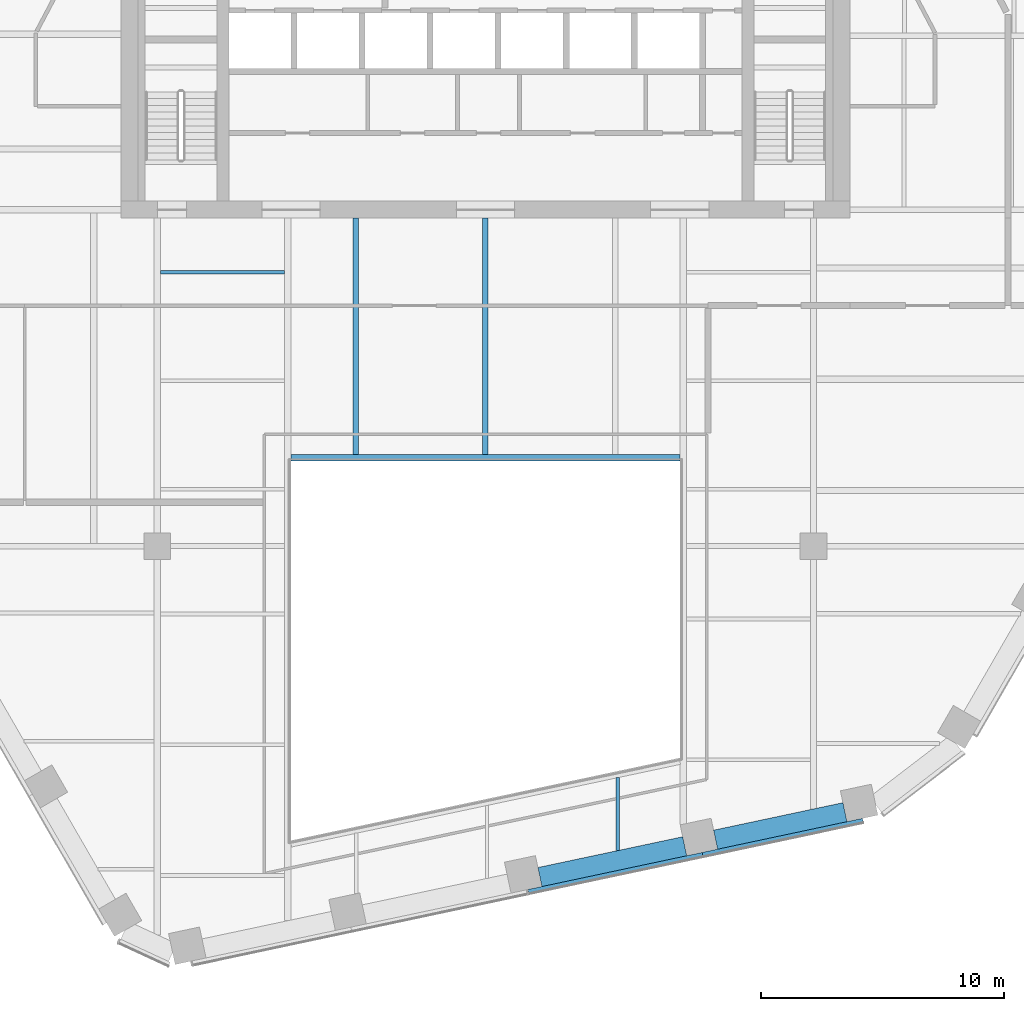
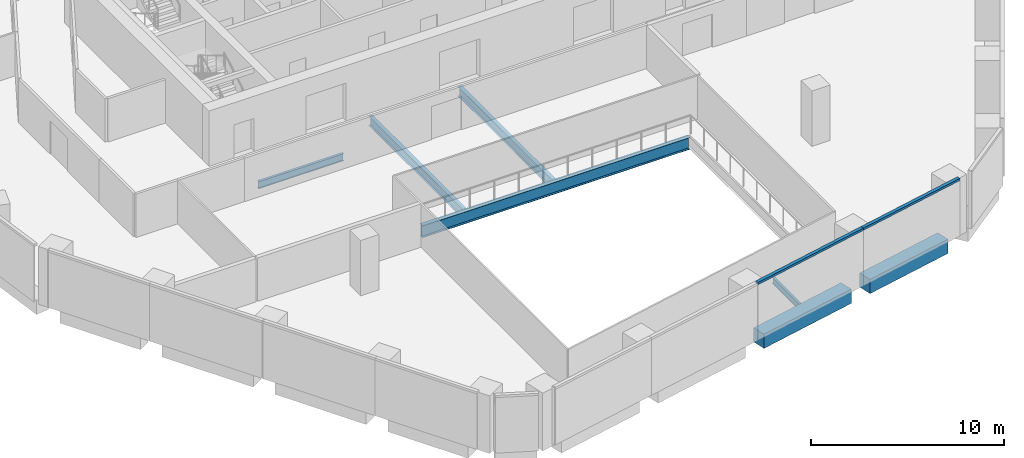
# One storey, part 4 of 16: 7 beams, 2 members, 1 element without a shape of its own.
"""IFC4 building model written with IfcOpenShell, lengths in metres."""

from ifc_helpers import new_model, si_unit, direction, frame, origin, origin_2d, place, context, subcontext, project, spatial, rectangle, i_section, extrude, material, layer, layer_set, material_profile, profile_set, type_object, element, aggregate, save


model = new_model("IFC4")

# Units and contexts
model_context = context("Model", 3, precision=1e-05, world=origin(), true_north=direction((0.0, 1.0)))
body_context = subcontext(model_context, "Body", "Model", "MODEL_VIEW")
ifc_project = project(units=[si_unit("LENGTHUNIT", "METRE"), si_unit("AREAUNIT", "SQUARE_METRE"), si_unit("VOLUMEUNIT", "CUBIC_METRE"), si_unit("PLANEANGLEUNIT", "RADIAN"), si_unit("MASSUNIT", "GRAM", prefix="KILO")], contexts=[model_context])

# Site, building, storey
site_placement = place(None, origin())
site = spatial("IfcSite", under=ifc_project, at=site_placement, CompositionType="ELEMENT")
building_placement = place(site_placement, origin())
building = spatial("IfcBuilding", under=site, at=building_placement, Name="Isthmus Gate Tower", CompositionType="ELEMENT")
storey_placement = place(building_placement, frame((0.0, 0.0, 178.10009765625)))
storey = spatial("IfcBuildingStorey", under=building, at=storey_placement, Name="L44", CompositionType="ELEMENT", Elevation=178.10009765625)

# Curtain wall, members
ifc_material_1 = material(Name="Aluminium, pale champagne anodised", Category="aluminium")
ifc_layer = layer(ifc_material_1, 0.199951171875)
ifc_layer_set = layer_set([ifc_layer], Name="CW-1 UNITISED CURTAIN WALL 200 DEEP")
curtain_wall_type = type_object("IfcCurtainWallType", Name="CW-1 UNITISED CURTAIN WALL 200 DEEP", PredefinedType="NOTDEFINED", material=ifc_layer_set)
curtain_wall_placement = place(storey_placement, origin())
curtain_wall = element("IfcCurtainWall", 1, at=curtain_wall_placement, inside=storey, type_object=curtain_wall_type, Name="CW-1 S L44", PredefinedType="NOTDEFINED")
ifc_material_2 = material(Name="Aluminium, pale champagne anodised", Category="aluminium")
ifc_material_profile_1 = material_profile(ifc_material_2, rectangle(XDim=0.199951171875, YDim=0.139892578125, at=origin_2d()), Name="200x140")
ifc_profile_set_1 = profile_set([ifc_material_profile_1], Name="Aluminium, pale champagne anodised")
member_type = type_object("IfcMemberType", Name="CW-1 TRANSOM 200 X 140", PredefinedType="USERDEFINED", material=ifc_profile_set_1)
member_1_placement = place(storey_placement, frame((1.76953125, -27.72607421875, 3.579833984375), z_axis=(0.978146152746, 0.207918502948, 0.0), x_axis=(-0.207918502948, 0.978146152746, 0.0)))
member_1 = element("IfcMember", 2, at=member_1_placement, type_object=member_type, Name="CW-1 transom", ObjectType="TRANSOM", PredefinedType="USERDEFINED", context=body_context, shape_type="SweptSolid", body=[
    extrude(rectangle(XDim=0.199951171875, YDim=0.139892578125, at=origin_2d()), origin(), (0.0, 0.0, 1.0), 7.33056640625),
])
member_2_placement = place(storey_placement, frame((8.93994140625, -26.201904296875, 3.579833984375), z_axis=(0.978151394347, 0.207893842469, 0.0), x_axis=(-0.207893842469, 0.978151394347, 0.0)))
member_2 = element("IfcMember", 3, at=member_2_placement, type_object=member_type, Name="CW-1 transom", ObjectType="TRANSOM", PredefinedType="USERDEFINED", context=body_context, shape_type="SweptSolid", body=[
    extrude(rectangle(XDim=0.199951171875, YDim=0.139892578125, at=origin_2d()), origin(), (0.0, 0.0, 1.0), 6.74072265625),
])
aggregate(curtain_wall, [member_1, member_2])

# Beams
ifc_material_3 = material(Name="Concrete f'c 60 MPa", Category="concrete")
ifc_material_profile_2 = material_profile(ifc_material_3, rectangle(XDim=0.800048828125, YDim=0.89990234375, at=origin_2d()), Name="RC 800X900")
ifc_profile_set_2 = profile_set([ifc_material_profile_2], Name="Concrete f'c 60 MPa")
beam_type_1 = type_object("IfcBeamType", Name="RC SPANDREL 800 X 900", PredefinedType="SPANDREL", material=ifc_profile_set_2)
beam_1_placement = place(storey_placement, frame((14.793701171875, -24.446533203125, -0.4501953125), z_axis=(-0.978150410773, -0.207898470186, 0.0), x_axis=(0.207898470186, -0.978150410773, 0.0)))
element("IfcBeam", 4, at=beam_1_placement, inside=storey, type_object=beam_type_1, Name="str-spandrel-L44-11", PredefinedType="SPANDREL", context=body_context, shape_type="SweptSolid", body=[
    extrude(rectangle(XDim=0.800048828125, YDim=0.89990234375, at=origin_2d()), origin(), (0.0, 0.0, 1.0), 5.440673828125),
])
beam_2_placement = place(storey_placement, frame((8.2001953125, -25.84814453125, -0.4501953125), z_axis=(-0.978146012851, -0.207919161079, 0.0), x_axis=(0.207919161079, -0.978146012851, 0.0)))
element("IfcBeam", 5, at=beam_2_placement, inside=storey, type_object=beam_type_1, Name="str-spandrel-L44-12", PredefinedType="SPANDREL", context=body_context, shape_type="SweptSolid", body=[
    extrude(rectangle(XDim=0.800048828125, YDim=0.89990234375, at=origin_2d()), origin(), (0.0, 0.0, 1.0), 6.090576171875),
])
ifc_material_4 = material(Name="Structural steel ASTM A992 Gr 50", Category="steel")
ifc_material_profile_3 = material_profile(ifc_material_4, i_section(OverallWidth=0.1396484375, OverallDepth=0.4033203125, WebThickness=0.00634765625, FlangeThickness=0.010986328125, at=origin_2d()), Name="W16X31")
ifc_profile_set_3 = profile_set([ifc_material_profile_3], Name="Structural steel ASTM A992 Gr 50")
beam_type_2 = type_object("IfcBeamType", Name="STEEL FLOOR BEAM W16X31", PredefinedType="JOIST", material=ifc_profile_set_3)
beam_3_placement = place(storey_placement, frame((5.443115234375, -26.025146484375, -0.351806640625), z_axis=(0.0, 1.0, 0.0), x_axis=(-1.0, 0.0, 0.0)))
element("IfcBeam", 6, at=beam_3_placement, inside=storey, type_object=beam_type_2, Name="str-beam-L44-07-02", PredefinedType="JOIST", context=body_context, shape_type="SweptSolid", body=[
    extrude(i_section(OverallWidth=0.1396484375, OverallDepth=0.4033203125, WebThickness=0.00634765625, FlangeThickness=0.010986328125, at=origin_2d()), origin(), (0.0, 0.0, 1.0), 2.998779296875),
])
ifc_material_5 = material(Name="Structural steel ASTM A992 Gr 50", Category="steel")
ifc_material_profile_4 = material_profile(ifc_material_5, i_section(OverallWidth=0.15234375, OverallDepth=0.45068359375, WebThickness=0.0078125, FlangeThickness=0.010986328125, at=origin_2d()), Name="W18X35")
ifc_profile_set_4 = profile_set([ifc_material_profile_4], Name="Structural steel ASTM A992 Gr 50")
beam_type_3 = type_object("IfcBeamType", Name="STEEL FLOOR BEAM W18X35", PredefinedType="JOIST", material=ifc_profile_set_4)
beam_4_placement = place(storey_placement, frame((-13.3681640625, -2.232421875, -0.37548828125), z_axis=(1.0, 0.0, 0.0), x_axis=(0.0, 1.0, 0.0)))
element("IfcBeam", 7, at=beam_4_placement, inside=storey, type_object=beam_type_3, Name="str-beam-L44-04-02", PredefinedType="JOIST", context=body_context, shape_type="SweptSolid", body=[
    extrude(i_section(OverallWidth=0.15234375, OverallDepth=0.45068359375, WebThickness=0.0078125, FlangeThickness=0.010986328125, at=origin_2d()), origin(), (0.0, 0.0, 1.0), 5.1015625),
])
ifc_material_6 = material(Name="Structural steel ASTM A992 Gr 50", Category="steel")
ifc_material_profile_5 = material_profile(ifc_material_6, i_section(OverallWidth=0.228515625, OverallDepth=0.603271484375, WebThickness=0.010986328125, FlangeThickness=0.014404296875, at=origin_2d()), Name="W24X68")
ifc_profile_set_5 = profile_set([ifc_material_profile_5], Name="Structural steel ASTM A992 Gr 50")
beam_type_4 = type_object("IfcBeamType", Name="STEEL FLOOR BEAM W24X68", PredefinedType="JOIST", material=ifc_profile_set_5)
for number, where, z_axis, x_axis, name in (
    (8, (-5.333251953125, -9.7333984375, -0.45166015625), (0.0, 1.0, 0.0), (-1.0, 0.0, 0.0), "str-beam-L44-06-00"),
    (9, (0.0, -9.7333984375, -0.45166015625), (0.0, 1.0, 0.0), (-1.0, 0.0, 0.0), "str-beam-L44-06-01"),
):
    element("IfcBeam", number, at=place(storey_placement, frame(where, z_axis=z_axis, x_axis=x_axis)), inside=storey, type_object=beam_type_4, Name=name, PredefinedType="JOIST", context=body_context, shape_type="SweptSolid", body=[
        extrude(i_section(OverallWidth=0.228515625, OverallDepth=0.603271484375, WebThickness=0.010986328125, FlangeThickness=0.014404296875, at=origin_2d()), origin(), (0.0, 0.0, 1.0), 9.7333984375),
    ])
ifc_material_7 = material(Name="Structural steel ASTM A992 Gr 50", Category="steel")
ifc_material_profile_6 = material_profile(ifc_material_7, i_section(OverallWidth=0.2666015625, OverallDepth=0.7587890625, WebThickness=0.014404296875, FlangeThickness=0.01904296875, at=origin_2d()), Name="W30X108")
ifc_profile_set_6 = profile_set([ifc_material_profile_6], Name="Structural steel ASTM A992 Gr 50")
beam_type_5 = type_object("IfcBeamType", Name="STEEL TRIMMER W30X108", PredefinedType="BEAM", material=ifc_profile_set_6)
beam_5_placement = place(storey_placement, frame((8.0, -9.86669921875, -0.529541015625), z_axis=(-1.0, 0.0, 0.0), x_axis=(0.0, -1.0, 0.0)))
element("IfcBeam", 10, at=beam_5_placement, inside=storey, type_object=beam_type_5, Name="str-trimmer-L44-04", PredefinedType="BEAM", context=body_context, shape_type="SweptSolid", body=[
    extrude(i_section(OverallWidth=0.2666015625, OverallDepth=0.7587890625, WebThickness=0.014404296875, FlangeThickness=0.01904296875, at=origin_2d()), origin(), (0.0, 0.0, 1.0), 16.0),
])

save(model, "model.ifc")
